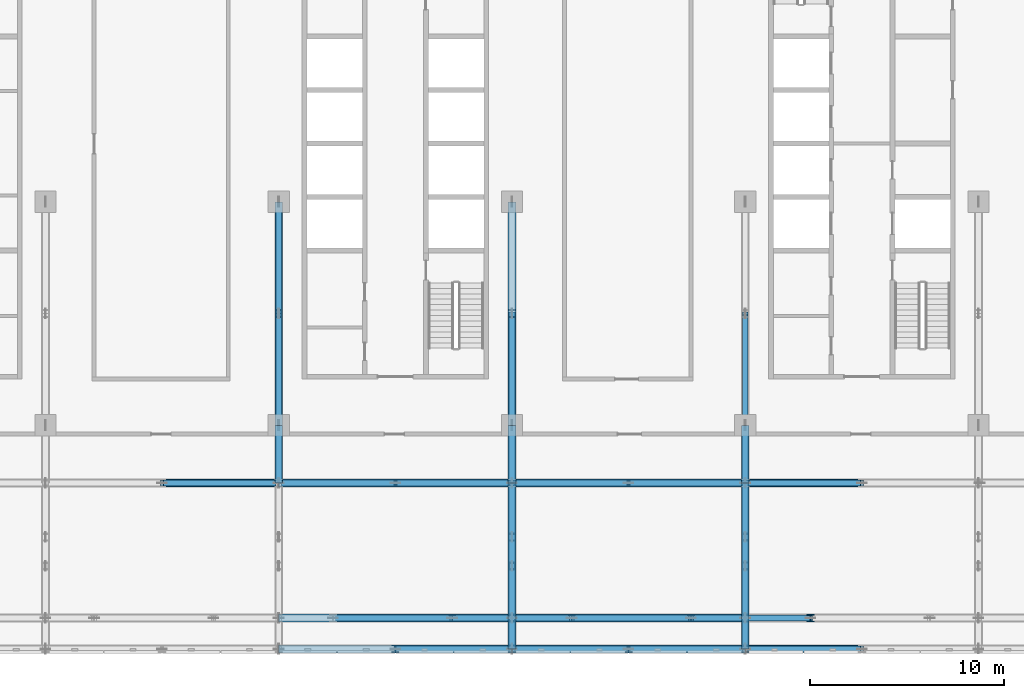
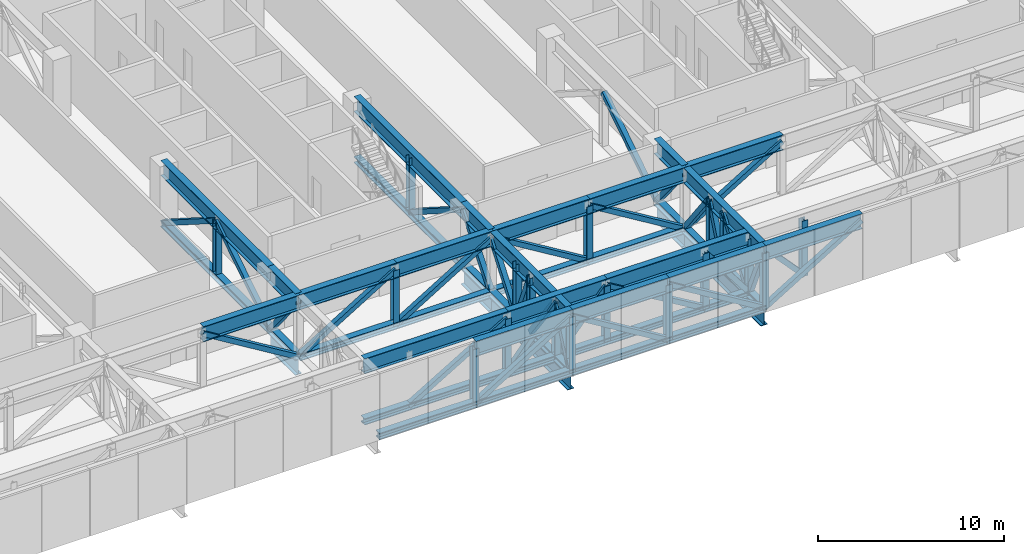
# One storey, part 6 of 28: 82 members, 5 beams.
"""IFC4 building model written with IfcOpenShell, lengths in metres."""

import ifcopenshell
import ifcopenshell.guid

model = None  # the IFC model being written
_history = None  # IfcOwnerHistory: only IFC2X3 demands one
_inside = {}  # id of a spatial element -> (the spatial element, [elements in it])
_under = {}  # id of a project, library or spatial element -> (it, [spatial elements below it])
_declared = {}  # id of a project -> (the project, [libraries it declares])
_typed = {}  # id of a type object -> (the type object, [elements of that type])
_made_of = {}  # id of a material, layer set ... -> (it, [elements and type objects made of it])


def new_model(schema):
    """Start an empty IFC model of exactly this schema.

    Asked for "IFC4X3", IfcOpenShell would pick the latest addendum, in which some entities
    have other attributes; the version numbers below select the first issue.
    IFC2X3 requires an IfcOwnerHistory on every rooted entity: one is made here for all.
    """
    global model, _history
    if schema == "IFC4X3":
        model = ifcopenshell.file(schema_version=(4, 3, 0, 0))
    else:
        model = ifcopenshell.file(schema=schema)
    _inside.clear()
    _under.clear()
    _declared.clear()
    _typed.clear()
    _made_of.clear()
    _history = None
    if model.schema == "IFC2X3":
        org = make("IfcOrganization", Name="unknown")
        user = make(
            "IfcPersonAndOrganization",
            ThePerson=make("IfcPerson", FamilyName="unknown"),
            TheOrganization=org,
        )
        app = make(
            "IfcApplication",
            ApplicationDeveloper=org,
            Version="unknown",
            ApplicationFullName="unknown",
            ApplicationIdentifier="unknown",
        )
        _history = make(
            "IfcOwnerHistory",
            OwningUser=user,
            OwningApplication=app,
            ChangeAction="ADDED",
            CreationDate=0,
        )
    return model


def make(cls, **values):
    """One entity of the class cls with the attributes given. An attribute that is None is left unset."""
    return model.create_entity(
        cls, **{name: value for name, value in values.items() if value is not None}
    )


def rooted(cls, **values):
    """An entity with a GlobalId (a new one), such as an element, a storey or a relation."""
    return make(cls, GlobalId=ifcopenshell.guid.new(), OwnerHistory=_history, **values)


def si_unit(unit_type, name, prefix=None):
    """IfcSIUnit, for example si_unit("LENGTHUNIT", "METRE", prefix="MILLI")."""
    return make("IfcSIUnit", UnitType=unit_type, Prefix=prefix, Name=name)


def assignment(units):
    """IfcUnitAssignment: the units of a project."""
    return None if units is None else make("IfcUnitAssignment", Units=units)


def point(xyz):
    """IfcCartesianPoint."""
    return None if xyz is None else make("IfcCartesianPoint", Coordinates=xyz)


def direction(xyz):
    """IfcDirection."""
    return None if xyz is None else make("IfcDirection", DirectionRatios=xyz)


def frame(location, z_axis=None, x_axis=None):
    """IfcAxis2Placement3D, a coordinate frame: its origin and axes. An axis left out is left unset."""
    return make(
        "IfcAxis2Placement3D",
        Location=point(location),
        Axis=direction(z_axis),
        RefDirection=direction(x_axis),
    )


def frame_2d(location, x_axis=None):
    """IfcAxis2Placement2D, a coordinate frame in the plane: its origin and x axis."""
    return make(
        "IfcAxis2Placement2D", Location=point(location), RefDirection=direction(x_axis)
    )


def origin():
    """The frame at (0, 0, 0) with its axes left unset."""
    return frame((0.0, 0.0, 0.0))


def origin_2d():
    """The frame at (0, 0) in the plane with its x axis left unset."""
    return frame_2d((0.0, 0.0))


def place(relative_to, where):
    """IfcLocalPlacement: puts the frame where relative to a parent placement (None: the world)."""
    return make(
        "IfcLocalPlacement", PlacementRelTo=relative_to, RelativePlacement=where
    )


def context(
    kind, dimensions, precision=None, world=None, true_north=None, identifier=None
):
    """IfcGeometricRepresentationContext, for example the 3D "Model" context."""
    return make(
        "IfcGeometricRepresentationContext",
        ContextIdentifier=identifier,
        ContextType=kind,
        CoordinateSpaceDimension=dimensions,
        Precision=precision,
        WorldCoordinateSystem=world,
        TrueNorth=true_north,
    )


def subcontext(parent, identifier, kind, view, scale=None):
    """IfcGeometricRepresentationSubContext, for example "Body" below "Model"."""
    return make(
        "IfcGeometricRepresentationSubContext",
        ContextIdentifier=identifier,
        ContextType=kind,
        ParentContext=parent,
        TargetScale=scale,
        TargetView=view,
    )


def project(units=None, contexts=None):
    """IfcProject with its units and contexts."""
    return rooted(
        "IfcProject",
        Name="project",
        RepresentationContexts=contexts,
        UnitsInContext=assignment(units),
    )


def spatial(cls, under=None, at=None, **own):
    """A site, building, storey or space (cls), placed at a placement, below another one or the project."""
    s = rooted(cls, ObjectPlacement=at, **own)
    if under is not None:
        _under.setdefault(under.id(), (under, []))[1].append(s)
    return s


def profile(cls, at=None, kind="AREA", **sizes):
    """A parametric profile (cls). Its sizes go by their IFC names, for example OverallWidth=200.0."""
    return make(cls, ProfileType=kind, Position=at, **sizes)


def hollow_rectangle(**sizes):
    """IfcRectangleHollowProfileDef."""
    return profile("IfcRectangleHollowProfileDef", **sizes)


def i_section(**sizes):
    """IfcIShapeProfileDef."""
    return profile("IfcIShapeProfileDef", **sizes)


def extrude(swept, where, along, depth):
    """IfcExtrudedAreaSolid: the profile swept, set in the frame where, extruded along a direction by depth."""
    return make(
        "IfcExtrudedAreaSolid",
        SweptArea=swept,
        Position=where,
        ExtrudedDirection=direction(along),
        Depth=depth,
    )


def shape(context_of_items, identifier, shape_type, items):
    """IfcShapeRepresentation: the items that make up one representation, for example the "Body"."""
    return make(
        "IfcShapeRepresentation",
        ContextOfItems=context_of_items,
        RepresentationIdentifier=identifier,
        RepresentationType=shape_type,
        Items=items,
    )


def material(Name=None, Category=None):
    """IfcMaterial."""
    return make("IfcMaterial", Name=Name, Category=Category)


def material_profile(
    of_material, cross_section, Name=None, Category=None, Priority=None
):
    """IfcMaterialProfile: a cross section and its material."""
    return make(
        "IfcMaterialProfile",
        Name=Name,
        Material=of_material,
        Profile=cross_section,
        Priority=Priority,
        Category=Category,
    )


def profile_set(profiles, Name=None, composite=None):
    """IfcMaterialProfileSet."""
    return make(
        "IfcMaterialProfileSet",
        Name=Name,
        MaterialProfiles=profiles,
        CompositeProfile=composite,
    )


def made_of(thing, what):
    """Note that an element or type object is made of a material, layer set ...; save() writes the relation."""
    if what is not None:
        _made_of.setdefault(what.id(), (what, []))[1].append(thing)
    return thing


def type_object(cls, material=None, **own):
    """A type object (cls), such as IfcWallType, which elements share."""
    return made_of(rooted(cls, **own), material)


def element(
    cls,
    number,
    at=None,
    inside=None,
    cuts=None,
    type_object=None,
    material=None,
    context=None,
    identifier="Body",
    shape_type=None,
    held_by="IfcProductDefinitionShape",
    body=None,
    shapes=None,
    **own,
):
    """One element of the class cls, such as IfcWall. Its Tag is "e" and its number.

    at: its placement. inside: the storey or other place that contains it. cuts: it is an
    opening in that element (IfcRelVoidsElement). A single representation is given by context,
    identifier, shape_type and body (its items); several are given by shapes. held_by: the class
    of the entity that holds the representations. save() writes the other relations.
    """
    e = rooted(cls, Tag="e%d" % number, ObjectPlacement=at, **own)
    if body is not None:
        shapes = [shape(context, identifier, shape_type, body)]
    if shapes is not None:
        e.Representation = make(held_by, Representations=shapes)
    if inside is not None:
        _inside.setdefault(inside.id(), (inside, []))[1].append(e)
    if cuts is not None:
        rooted(
            "IfcRelVoidsElement", RelatingBuildingElement=cuts, RelatedOpeningElement=e
        )
    if type_object is not None:
        _typed.setdefault(type_object.id(), (type_object, []))[1].append(e)
    return made_of(e, material)


def aggregate(whole, parts):
    """IfcRelAggregates: a whole, such as a stair, and the parts it consists of."""
    return rooted("IfcRelAggregates", RelatingObject=whole, RelatedObjects=parts)


def save(model, path):
    """Write the relations noted so far, then the file.

    IfcRelAggregates (storeys below a building ...), IfcRelContainedInSpatialStructure (elements
    in a storey), IfcRelDefinesByType, IfcRelAssociatesMaterial and IfcRelDeclares: one each for
    every whole, place, type object, material and project.
    """
    for whole, parts in _under.values():
        aggregate(whole, parts)
    for where, things in _inside.values():
        rooted(
            "IfcRelContainedInSpatialStructure",
            RelatedElements=things,
            RelatingStructure=where,
        )
    for kind, things in _typed.values():
        rooted("IfcRelDefinesByType", RelatedObjects=things, RelatingType=kind)
    for what, things in _made_of.values():
        rooted("IfcRelAssociatesMaterial", RelatedObjects=things, RelatingMaterial=what)
    for by, libraries in _declared.values():
        rooted("IfcRelDeclares", RelatingContext=by, RelatedDefinitions=libraries)
    model.write(path)


model = new_model("IFC4")

# Units and contexts
model_context = context("Model", 3, precision=1e-05, world=origin(), true_north=direction((0.0, 1.0)))
body_context = subcontext(model_context, "Body", "Model", "MODEL_VIEW")
ifc_project = project(units=[si_unit("LENGTHUNIT", "METRE"), si_unit("AREAUNIT", "SQUARE_METRE"), si_unit("VOLUMEUNIT", "CUBIC_METRE"), si_unit("PLANEANGLEUNIT", "RADIAN"), si_unit("MASSUNIT", "GRAM", prefix="KILO")], contexts=[model_context])

# Site, building, storey
site_placement = place(None, origin())
site = spatial("IfcSite", under=ifc_project, at=site_placement, CompositionType="ELEMENT")
building_placement = place(site_placement, origin())
building = spatial("IfcBuilding", under=site, at=building_placement, Name="Mahtab Terrace Research Tower", CompositionType="ELEMENT")
storey_placement = place(building_placement, frame((0.0, 0.0, 224.300048828125)))
storey = spatial("IfcBuildingStorey", under=building, at=storey_placement, Name="L54", CompositionType="ELEMENT", Elevation=224.300048828125)

# Members
ifc_material_1 = material(Name="Steel ASTM A500 Gr C", Category="steel")
ifc_material_profile_1 = material_profile(ifc_material_1, hollow_rectangle(XDim=0.3046875, YDim=0.3046875, WallThickness=0.0126953125, at=origin_2d()), Name="HSS12X12X1/2")
ifc_profile_set_1 = profile_set([ifc_material_profile_1], Name="Steel ASTM A500 Gr C")
member_type_1 = type_object("IfcMemberType", Name="HSS 12x12x1/2 brace TD121212", PredefinedType="BRACE", material=ifc_profile_set_1)
for number, where, z_axis, x_axis, name in (
    (1, (-6.0, -14.472900390625, -0.18798828125), (-0.854496522168, 0.0, 0.519457114306), (0.0, -1.0, 0.0), "Transfer truss T6 diagonal 048"),
    (2, (-6.0, -14.472900390625, -0.18798828125), (0.854496522168, 0.0, 0.519457114306), (0.0, 1.0, 0.0), "Transfer truss T6 diagonal 057"),
):
    element("IfcMember", number, at=place(storey_placement, frame(where, z_axis=z_axis, x_axis=x_axis)), inside=storey, type_object=member_type_1, Name=name, PredefinedType="BRACE", context=body_context, shape_type="SweptSolid", body=[
        extrude(hollow_rectangle(XDim=0.3046875, YDim=0.3046875, WallThickness=0.0126953125, at=origin_2d()), origin(), (0.0, 0.0, 1.0), 7.021728515625),
    ])
member_1_placement = place(storey_placement, frame((-6.0, -11.5, -0.18798828125), z_axis=(0.0, -0.631787276537, 0.77514181748), x_axis=(1.0, 0.0, 0.0)))
element("IfcMember", 3, at=member_1_placement, inside=storey, type_object=member_type_1, Name="Transfer truss T6 diagonal 058", PredefinedType="BRACE", context=body_context, shape_type="SweptSolid", body=[
    extrude(hollow_rectangle(XDim=0.3046875, YDim=0.3046875, WallThickness=0.0126953125, at=origin_2d()), origin(), (0.0, 0.0, 1.0), 4.70556640625),
])
for number, where, z_axis, x_axis, name in (
    (4, (-6.0, -11.5, -0.18798828125), (0.0, 0.844434215401, 0.535659272168), (-1.0, 0.0, 0.0), "Transfer truss T6 diagonal 059"),
    (5, (-6.0, 0.0, -0.18798828125), (0.0, -0.844434215401, 0.535659272168), (1.0, 0.0, 0.0), "Transfer truss T6 diagonal 060"),
):
    element("IfcMember", number, at=place(storey_placement, frame(where, z_axis=z_axis, x_axis=x_axis)), inside=storey, type_object=member_type_1, Name=name, PredefinedType="BRACE", context=body_context, shape_type="SweptSolid", body=[
        extrude(hollow_rectangle(XDim=0.3046875, YDim=0.3046875, WallThickness=0.0126953125, at=origin_2d()), origin(), (0.0, 0.0, 1.0), 6.809326171875),
    ])
member_2_placement = place(storey_placement, frame((-3.2119140625, -21.416015625, -0.18798828125), z_axis=(0.85977360994, 0.0, 0.510675375999), x_axis=(0.0, 1.0, 0.0)))
element("IfcMember", 6, at=member_2_placement, inside=storey, type_object=member_type_1, Name="Transfer truss T6 diagonal 065", PredefinedType="BRACE", context=body_context, shape_type="SweptSolid", body=[
    extrude(hollow_rectangle(XDim=0.3046875, YDim=0.3046875, WallThickness=0.0126953125, at=origin_2d()), origin(), (0.0, 0.0, 1.0), 7.142333984375),
])
member_3_placement = place(storey_placement, frame((0.0, -14.472900390625, -0.18798828125), z_axis=(0.854496522168, 0.0, 0.519457114306), x_axis=(0.0, 1.0, 0.0)))
element("IfcMember", 7, at=member_3_placement, inside=storey, type_object=member_type_1, Name="Transfer truss T6 diagonal 067", PredefinedType="BRACE", context=body_context, shape_type="SweptSolid", body=[
    extrude(hollow_rectangle(XDim=0.3046875, YDim=0.3046875, WallThickness=0.0126953125, at=origin_2d()), origin(), (0.0, 0.0, 1.0), 7.021728515625),
])
member_4_placement = place(storey_placement, frame((2.928955078125, -21.416015625, -0.18798828125), z_axis=(0.6440742511, 0.0, 0.764962978888), x_axis=(0.0, 1.0, 0.0)))
element("IfcMember", 8, at=member_4_placement, inside=storey, type_object=member_type_1, Name="Transfer truss T6 diagonal 069", PredefinedType="BRACE", context=body_context, shape_type="SweptSolid", body=[
    extrude(hollow_rectangle(XDim=0.3046875, YDim=0.3046875, WallThickness=0.0126953125, at=origin_2d()), origin(), (0.0, 0.0, 1.0), 4.76806640625),
])
member_5_placement = place(storey_placement, frame((0.0, -23.0, -0.18798828125), z_axis=(0.854496522168, 0.0, 0.519457114306), x_axis=(0.0, 1.0, 0.0)))
element("IfcMember", 9, at=member_5_placement, inside=storey, type_object=member_type_1, Name="Transfer truss T6 diagonal 070", PredefinedType="BRACE", context=body_context, shape_type="SweptSolid", body=[
    extrude(hollow_rectangle(XDim=0.3046875, YDim=0.3046875, WallThickness=0.0126953125, at=origin_2d()), origin(), (0.0, 0.0, 1.0), 7.021728515625),
])
member_6_placement = place(storey_placement, frame((6.0, -23.0, -0.18798828125), z_axis=(0.0, 0.398330959805, 0.917241760094), x_axis=(-1.0, 0.0, 0.0)))
element("IfcMember", 10, at=member_6_placement, inside=storey, type_object=member_type_1, Name="Transfer truss T6 diagonal 071", PredefinedType="BRACE", context=body_context, shape_type="SweptSolid", body=[
    extrude(hollow_rectangle(XDim=0.3046875, YDim=0.3046875, WallThickness=0.0126953125, at=origin_2d()), origin(), (0.0, 0.0, 1.0), 3.9765625),
])
member_7_placement = place(storey_placement, frame((6.0, -18.736083984375, -0.18798828125), z_axis=(0.0, -0.5921000261, 0.805864479359), x_axis=(1.0, 0.0, 0.0)))
element("IfcMember", 11, at=member_7_placement, inside=storey, type_object=member_type_1, Name="Transfer truss T6 diagonal 072", PredefinedType="BRACE", context=body_context, shape_type="SweptSolid", body=[
    extrude(hollow_rectangle(XDim=0.3046875, YDim=0.3046875, WallThickness=0.0126953125, at=origin_2d()), origin(), (0.0, 0.0, 1.0), 4.526123046875),
])
member_8_placement = place(storey_placement, frame((6.0, -21.416015625, -0.18798828125), z_axis=(0.6440742511, 0.0, 0.764962978888), x_axis=(0.0, 1.0, 0.0)))
element("IfcMember", 12, at=member_8_placement, inside=storey, type_object=member_type_1, Name="Transfer truss T6 diagonal 073", PredefinedType="BRACE", context=body_context, shape_type="SweptSolid", body=[
    extrude(hollow_rectangle(XDim=0.3046875, YDim=0.3046875, WallThickness=0.0126953125, at=origin_2d()), origin(), (0.0, 0.0, 1.0), 4.76806640625),
])
member_9_placement = place(storey_placement, frame((6.0, -17.25, -0.18798828125), z_axis=(0.0, -0.377314608222, 0.926085139943), x_axis=(1.0, 0.0, 0.0)))
element("IfcMember", 13, at=member_9_placement, inside=storey, type_object=member_type_1, Name="Transfer truss T6 diagonal 074", PredefinedType="BRACE", context=body_context, shape_type="SweptSolid", body=[
    extrude(hollow_rectangle(XDim=0.3046875, YDim=0.3046875, WallThickness=0.0126953125, at=origin_2d()), origin(), (0.0, 0.0, 1.0), 3.9384765625),
])
member_10_placement = place(storey_placement, frame((6.0, -17.25, -0.18798828125), z_axis=(0.0, 0.605778433587, 0.795633388817), x_axis=(-1.0, 0.0, 0.0)))
element("IfcMember", 14, at=member_10_placement, inside=storey, type_object=member_type_1, Name="Transfer truss T6 diagonal 075", PredefinedType="BRACE", context=body_context, shape_type="SweptSolid", body=[
    extrude(hollow_rectangle(XDim=0.3046875, YDim=0.3046875, WallThickness=0.0126953125, at=origin_2d()), origin(), (0.0, 0.0, 1.0), 4.584228515625),
])
member_11_placement = place(storey_placement, frame((12.0, -14.472900390625, -0.18798828125), z_axis=(-0.854496522168, 0.0, 0.519457114306), x_axis=(0.0, -1.0, 0.0)))
element("IfcMember", 15, at=member_11_placement, inside=storey, type_object=member_type_1, Name="Transfer truss T6 diagonal 076", PredefinedType="BRACE", context=body_context, shape_type="SweptSolid", body=[
    extrude(hollow_rectangle(XDim=0.3046875, YDim=0.3046875, WallThickness=0.0126953125, at=origin_2d()), origin(), (0.0, 0.0, 1.0), 7.021728515625),
])
member_12_placement = place(storey_placement, frame((6.0, -14.472900390625, -0.18798828125), z_axis=(0.0, 0.631787276537, 0.77514181748), x_axis=(-1.0, 0.0, 0.0)))
element("IfcMember", 16, at=member_12_placement, inside=storey, type_object=member_type_1, Name="Transfer truss T6 diagonal 077", PredefinedType="BRACE", context=body_context, shape_type="SweptSolid", body=[
    extrude(hollow_rectangle(XDim=0.3046875, YDim=0.3046875, WallThickness=0.0126953125, at=origin_2d()), origin(), (0.0, 0.0, 1.0), 4.70556640625),
])
member_13_placement = place(storey_placement, frame((6.0, -5.75, -0.18798828125), z_axis=(0.0, -0.844434215401, 0.535659272168), x_axis=(1.0, 0.0, 0.0)))
element("IfcMember", 17, at=member_13_placement, inside=storey, type_object=member_type_1, Name="Transfer truss T6 diagonal 078", PredefinedType="BRACE", context=body_context, shape_type="SweptSolid", body=[
    extrude(hollow_rectangle(XDim=0.3046875, YDim=0.3046875, WallThickness=0.0126953125, at=origin_2d()), origin(), (0.0, 0.0, 1.0), 6.809326171875),
])
member_14_placement = place(storey_placement, frame((15.2119140625, -21.416015625, -0.18798828125), z_axis=(-0.85977360994, 0.0, 0.510675375999), x_axis=(0.0, -1.0, 0.0)))
element("IfcMember", 18, at=member_14_placement, inside=storey, type_object=member_type_1, Name="Transfer truss T6 diagonal 084", PredefinedType="BRACE", context=body_context, shape_type="SweptSolid", body=[
    extrude(hollow_rectangle(XDim=0.3046875, YDim=0.3046875, WallThickness=0.0126953125, at=origin_2d()), origin(), (0.0, 0.0, 1.0), 7.142333984375),
])
for number, where, z_axis, x_axis, name in (
    (19, (12.0, -23.0, -0.18798828125), (-0.854496522168, 0.0, 0.519457114306), (0.0, -1.0, 0.0), "Transfer truss T6 diagonal 085"),
    (20, (18.0, -14.472900390625, -0.18798828125), (-0.854496522168, 0.0, 0.519457114306), (0.0, -1.0, 0.0), "Transfer truss T6 diagonal 086"),
):
    element("IfcMember", number, at=place(storey_placement, frame(where, z_axis=z_axis, x_axis=x_axis)), inside=storey, type_object=member_type_1, Name=name, PredefinedType="BRACE", context=body_context, shape_type="SweptSolid", body=[
        extrude(hollow_rectangle(XDim=0.3046875, YDim=0.3046875, WallThickness=0.0126953125, at=origin_2d()), origin(), (0.0, 0.0, 1.0), 7.021728515625),
    ])
member_15_placement = place(storey_placement, frame((18.0, -21.416015625, -0.18798828125), z_axis=(-0.607292187246, 0.0, 0.794478570705), x_axis=(0.0, -1.0, 0.0)))
element("IfcMember", 21, at=member_15_placement, inside=storey, type_object=member_type_1, Name="Transfer truss T6 diagonal 088", PredefinedType="BRACE", context=body_context, shape_type="SweptSolid", body=[
    extrude(hollow_rectangle(XDim=0.3046875, YDim=0.3046875, WallThickness=0.0126953125, at=origin_2d()), origin(), (0.0, 0.0, 1.0), 4.591064453125),
])
member_16_placement = place(storey_placement, frame((18.0, -23.0, -0.18798828125), z_axis=(-0.854496522168, 0.0, 0.519457114306), x_axis=(0.0, -1.0, 0.0)))
element("IfcMember", 22, at=member_16_placement, inside=storey, type_object=member_type_1, Name="Transfer truss T6 diagonal 089", PredefinedType="BRACE", context=body_context, shape_type="SweptSolid", body=[
    extrude(hollow_rectangle(XDim=0.3046875, YDim=0.3046875, WallThickness=0.0126953125, at=origin_2d()), origin(), (0.0, 0.0, 1.0), 7.021728515625),
])
member_17_placement = place(storey_placement, frame((18.0, -21.416015625, -0.18798828125), z_axis=(0.0, -0.398330959805, 0.917241760094), x_axis=(1.0, 0.0, 0.0)))
element("IfcMember", 23, at=member_17_placement, inside=storey, type_object=member_type_1, Name="Transfer truss T6 diagonal 090", PredefinedType="BRACE", context=body_context, shape_type="SweptSolid", body=[
    extrude(hollow_rectangle(XDim=0.3046875, YDim=0.3046875, WallThickness=0.0126953125, at=origin_2d()), origin(), (0.0, 0.0, 1.0), 3.9765625),
])
member_18_placement = place(storey_placement, frame((18.0, -21.416015625, -0.18798828125), z_axis=(0.0, 0.5921000261, 0.805864479359), x_axis=(-1.0, 0.0, 0.0)))
element("IfcMember", 24, at=member_18_placement, inside=storey, type_object=member_type_1, Name="Transfer truss T6 diagonal 091", PredefinedType="BRACE", context=body_context, shape_type="SweptSolid", body=[
    extrude(hollow_rectangle(XDim=0.3046875, YDim=0.3046875, WallThickness=0.0126953125, at=origin_2d()), origin(), (0.0, 0.0, 1.0), 4.526123046875),
])
member_19_placement = place(storey_placement, frame((21.35400390625, -21.416015625, -0.18798828125), z_axis=(-0.676875055583, 0.0, 0.736097927676), x_axis=(0.0, -1.0, 0.0)))
element("IfcMember", 25, at=member_19_placement, inside=storey, type_object=member_type_1, Name="Transfer truss T6 diagonal 092", PredefinedType="BRACE", context=body_context, shape_type="SweptSolid", body=[
    extrude(hollow_rectangle(XDim=0.3046875, YDim=0.3046875, WallThickness=0.0126953125, at=origin_2d()), origin(), (0.0, 0.0, 1.0), 4.955078125),
])
member_20_placement = place(storey_placement, frame((18.0, -18.736083984375, -0.18798828125), z_axis=(0.0, 0.377314608222, 0.926085139943), x_axis=(-1.0, 0.0, 0.0)))
element("IfcMember", 26, at=member_20_placement, inside=storey, type_object=member_type_1, Name="Transfer truss T6 diagonal 093", PredefinedType="BRACE", context=body_context, shape_type="SweptSolid", body=[
    extrude(hollow_rectangle(XDim=0.3046875, YDim=0.3046875, WallThickness=0.0126953125, at=origin_2d()), origin(), (0.0, 0.0, 1.0), 3.9384765625),
])
member_21_placement = place(storey_placement, frame((18.0, -14.472900390625, -0.18798828125), z_axis=(0.0, -0.605778433587, 0.795633388817), x_axis=(1.0, 0.0, 0.0)))
element("IfcMember", 27, at=member_21_placement, inside=storey, type_object=member_type_1, Name="Transfer truss T6 diagonal 094", PredefinedType="BRACE", context=body_context, shape_type="SweptSolid", body=[
    extrude(hollow_rectangle(XDim=0.3046875, YDim=0.3046875, WallThickness=0.0126953125, at=origin_2d()), origin(), (0.0, 0.0, 1.0), 4.584228515625),
])
member_22_placement = place(storey_placement, frame((18.0, -14.472900390625, -0.18798828125), z_axis=(0.854496522168, 0.0, 0.519457114306), x_axis=(0.0, 1.0, 0.0)))
element("IfcMember", 28, at=member_22_placement, inside=storey, type_object=member_type_1, Name="Transfer truss T6 diagonal 095", PredefinedType="BRACE", context=body_context, shape_type="SweptSolid", body=[
    extrude(hollow_rectangle(XDim=0.3046875, YDim=0.3046875, WallThickness=0.0126953125, at=origin_2d()), origin(), (0.0, 0.0, 1.0), 7.021728515625),
])
member_23_placement = place(storey_placement, frame((18.0, -11.5, -0.18798828125), z_axis=(0.0, -0.631787276537, 0.77514181748), x_axis=(1.0, 0.0, 0.0)))
element("IfcMember", 29, at=member_23_placement, inside=storey, type_object=member_type_1, Name="Transfer truss T6 diagonal 096", PredefinedType="BRACE", context=body_context, shape_type="SweptSolid", body=[
    extrude(hollow_rectangle(XDim=0.3046875, YDim=0.3046875, WallThickness=0.0126953125, at=origin_2d()), origin(), (0.0, 0.0, 1.0), 4.70556640625),
])
member_24_placement = place(storey_placement, frame((18.0, -11.5, -0.18798828125), z_axis=(0.0, 0.844434215401, 0.535659272168), x_axis=(-1.0, 0.0, 0.0)))
element("IfcMember", 30, at=member_24_placement, inside=storey, type_object=member_type_1, Name="Transfer truss T6 diagonal 097", PredefinedType="BRACE", context=body_context, shape_type="SweptSolid", body=[
    extrude(hollow_rectangle(XDim=0.3046875, YDim=0.3046875, WallThickness=0.0126953125, at=origin_2d()), origin(), (0.0, 0.0, 1.0), 6.809326171875),
])
member_25_placement = place(storey_placement, frame((18.0, -23.0, -0.18798828125), z_axis=(0.854496522168, 0.0, 0.519457114306), x_axis=(0.0, 1.0, 0.0)))
element("IfcMember", 31, at=member_25_placement, inside=storey, type_object=member_type_1, Name="Transfer truss T6 diagonal 104", PredefinedType="BRACE", context=body_context, shape_type="SweptSolid", body=[
    extrude(hollow_rectangle(XDim=0.3046875, YDim=0.3046875, WallThickness=0.0126953125, at=origin_2d()), origin(), (0.0, 0.0, 1.0), 7.021728515625),
])
ifc_material_2 = material(Name="Steel ASTM A992 Gr 50", Category="steel")
ifc_material_profile_2 = material_profile(ifc_material_2, i_section(OverallWidth=0.373291015625, OverallDepth=0.373291015625, WebThickness=0.016357421875, FlangeThickness=0.026123046875, at=origin_2d()), Name="W14X132")
ifc_profile_set_2 = profile_set([ifc_material_profile_2], Name="Steel ASTM A992 Gr 50")
member_type_2 = type_object("IfcMemberType", Name="W14x132 post TP14132", PredefinedType="POST", material=ifc_profile_set_2)
for number, where, z_axis, x_axis, name in (
    (32, (-6.0, -5.75, -0.18798828125), (0.0, 0.0, 1.0), (1.0, 0.0, 0.0), "Transfer truss T6 post 053"),
    (33, (0.0, -23.0, -0.18798828125), (0.0, 0.0, 1.0), (1.0, 0.0, 0.0), "Transfer truss T6 post 060"),
    (34, (0.0, -14.469970703125, -0.18798828125), (0.0, 0.0, 1.0), (1.0, 0.0, 0.0), "Transfer truss T6 post 061"),
    (35, (2.929931640625, -21.419921875, -0.18798828125), (0.0, 0.0, 1.0), (1.0, 0.0, 0.0), "Transfer truss T6 post 063"),
    (36, (6.0, -23.0, -0.18798828125), (0.0, 0.0, 1.0), (1.0, 0.0, 0.0), "Transfer truss T6 post 064"),
    (37, (6.0, -21.419921875, -0.18798828125), (0.0, 0.0, 1.0), (1.0, 0.0, 0.0), "Transfer truss T6 post 065"),
    (38, (6.0, -18.739990234375, -0.18798828125), (0.0, 0.0, 1.0), (1.0, 0.0, 0.0), "Transfer truss T6 post 066"),
    (39, (6.0, -17.25, -0.18798828125), (0.0, 0.0, 1.0), (1.0, 0.0, 0.0), "Transfer truss T6 post 067"),
    (40, (6.0, -5.75, -0.18798828125), (0.0, 0.0, 1.0), (1.0, 0.0, 0.0), "Transfer truss T6 post 070"),
    (41, (9.070068359375, -21.419921875, -0.18798828125), (0.0, 0.0, 1.0), (1.0, 0.0, 0.0), "Transfer truss T6 post 076"),
    (42, (12.0, -23.0, -0.18798828125), (0.0, 0.0, 1.0), (1.0, 0.0, 0.0), "Transfer truss T6 post 077"),
    (43, (12.0, -14.469970703125, -0.18798828125), (0.0, 0.0, 1.0), (1.0, 0.0, 0.0), "Transfer truss T6 post 078"),
    (44, (15.2099609375, -21.419921875, -0.18798828125), (0.0, 0.0, 1.0), (1.0, 0.0, 0.0), "Transfer truss T6 post 080"),
    (45, (18.0, -23.0, -0.18798828125), (0.0, 0.0, 1.0), (1.0, 0.0, 0.0), "Transfer truss T6 post 081"),
    (46, (18.0, -21.419921875, -0.18798828125), (0.0, 0.0, 1.0), (1.0, 0.0, 0.0), "Transfer truss T6 post 082"),
    (47, (18.0, -18.739990234375, -0.18798828125), (0.0, 0.0, 1.0), (1.0, 0.0, 0.0), "Transfer truss T6 post 083"),
    (48, (18.0, -17.25, -0.18798828125), (0.0, 0.0, 1.0), (1.0, 0.0, 0.0), "Transfer truss T6 post 084"),
    (49, (21.35009765625, -21.419921875, -0.18798828125), (0.0, 0.0, 1.0), (1.0, 0.0, 0.0), "Transfer truss T6 post 093"),
):
    element("IfcMember", number, at=place(storey_placement, frame(where, z_axis=z_axis, x_axis=x_axis)), inside=storey, type_object=member_type_2, Name=name, PredefinedType="POST", context=body_context, shape_type="SweptSolid", body=[
        extrude(i_section(OverallWidth=0.373291015625, OverallDepth=0.373291015625, WebThickness=0.016357421875, FlangeThickness=0.026123046875, at=origin_2d()), origin(), (0.0, 0.0, 1.0), 3.6474609375),
    ])
ifc_material_profile_3 = material_profile(ifc_material_2, i_section(OverallWidth=0.408935546875, OverallDepth=0.42431640625, WebThickness=0.03271484375, FlangeThickness=0.052490234375, at=origin_2d()), Name="W14X283")
ifc_profile_set_3 = profile_set([ifc_material_profile_3], Name="Steel ASTM A992 Gr 50")
member_type_3 = type_object("IfcMemberType", Name="W14x283 chord TC14283", PredefinedType="CHORD", material=ifc_profile_set_3)
for number, where, z_axis, x_axis, name in (
    (50, (-6.0, -21.416015625, -0.18798828125), (1.0, 0.0, 0.0), (0.0, 1.0, 0.0), "Transfer truss T6 bottom chord 010"),
    (51, (6.0, -21.416015625, -0.18798828125), (1.0, 0.0, 0.0), (0.0, 1.0, 0.0), "Transfer truss T6 bottom chord 011"),
    (52, (18.0, -23.0, -0.18798828125), (-1.0, 0.0, 0.0), (0.0, -1.0, 0.0), "Transfer truss T6 bottom chord 021"),
    (53, (6.0, -23.0, -0.18798828125), (-1.0, 0.0, 0.0), (0.0, -1.0, 0.0), "Transfer truss T6 bottom chord 022"),
    (54, (-6.0, -14.472900390625, -0.18798828125), (1.0, 0.0, 0.0), (0.0, 1.0, 0.0), "Transfer truss T6 bottom chord 027"),
    (55, (6.0, -14.472900390625, -0.18798828125), (1.0, 0.0, 0.0), (0.0, 1.0, 0.0), "Transfer truss T6 bottom chord 028"),
):
    element("IfcMember", number, at=place(storey_placement, frame(where, z_axis=z_axis, x_axis=x_axis)), inside=storey, type_object=member_type_3, Name=name, PredefinedType="CHORD", context=body_context, shape_type="SweptSolid", body=[
        extrude(i_section(OverallWidth=0.408935546875, OverallDepth=0.42431640625, WebThickness=0.03271484375, FlangeThickness=0.052490234375, at=origin_2d()), origin(), (0.0, 0.0, 1.0), 12.0),
    ])
member_26_placement = place(storey_placement, frame((-6.0, -14.472900390625, -0.18798828125), z_axis=(0.0, 1.0, 0.0), x_axis=(-1.0, 0.0, 0.0)))
element("IfcMember", 56, at=member_26_placement, inside=storey, type_object=member_type_3, Name="Transfer truss T6 bottom chord 045", PredefinedType="CHORD", context=body_context, shape_type="SweptSolid", body=[
    extrude(i_section(OverallWidth=0.408935546875, OverallDepth=0.42431640625, WebThickness=0.03271484375, FlangeThickness=0.052490234375, at=origin_2d()), origin(), (0.0, 0.0, 1.0), 2.972900390625),
])
member_27_placement = place(storey_placement, frame((-6.0, -11.5, -0.18798828125), z_axis=(0.0, 1.0, 0.0), x_axis=(-1.0, 0.0, 0.0)))
element("IfcMember", 57, at=member_27_placement, inside=storey, type_object=member_type_3, Name="Transfer truss T6 bottom chord 046", PredefinedType="CHORD", context=body_context, shape_type="SweptSolid", body=[
    extrude(i_section(OverallWidth=0.408935546875, OverallDepth=0.42431640625, WebThickness=0.03271484375, FlangeThickness=0.052490234375, at=origin_2d()), origin(), (0.0, 0.0, 1.0), 11.5),
])
member_28_placement = place(storey_placement, frame((6.0, -23.0, -0.18798828125), z_axis=(0.0, 1.0, 0.0), x_axis=(-1.0, 0.0, 0.0)))
element("IfcMember", 58, at=member_28_placement, inside=storey, type_object=member_type_3, Name="Transfer truss T6 bottom chord 049", PredefinedType="CHORD", context=body_context, shape_type="SweptSolid", body=[
    extrude(i_section(OverallWidth=0.408935546875, OverallDepth=0.42431640625, WebThickness=0.03271484375, FlangeThickness=0.052490234375, at=origin_2d()), origin(), (0.0, 0.0, 1.0), 8.527099609375),
])
member_29_placement = place(storey_placement, frame((6.0, -14.472900390625, -0.18798828125), z_axis=(0.0, 1.0, 0.0), x_axis=(-1.0, 0.0, 0.0)))
element("IfcMember", 59, at=member_29_placement, inside=storey, type_object=member_type_3, Name="Transfer truss T6 bottom chord 050", PredefinedType="CHORD", context=body_context, shape_type="SweptSolid", body=[
    extrude(i_section(OverallWidth=0.408935546875, OverallDepth=0.42431640625, WebThickness=0.03271484375, FlangeThickness=0.052490234375, at=origin_2d()), origin(), (0.0, 0.0, 1.0), 2.972900390625),
])
member_30_placement = place(storey_placement, frame((6.0, -11.5, -0.18798828125), z_axis=(0.0, 1.0, 0.0), x_axis=(-1.0, 0.0, 0.0)))
element("IfcMember", 60, at=member_30_placement, inside=storey, type_object=member_type_3, Name="Transfer truss T6 bottom chord 051", PredefinedType="CHORD", context=body_context, shape_type="SweptSolid", body=[
    extrude(i_section(OverallWidth=0.408935546875, OverallDepth=0.42431640625, WebThickness=0.03271484375, FlangeThickness=0.052490234375, at=origin_2d()), origin(), (0.0, 0.0, 1.0), 11.5),
])
member_31_placement = place(storey_placement, frame((18.0, -23.0, -0.18798828125), z_axis=(0.0, 1.0, 0.0), x_axis=(-1.0, 0.0, 0.0)))
element("IfcMember", 61, at=member_31_placement, inside=storey, type_object=member_type_3, Name="Transfer truss T6 bottom chord 054", PredefinedType="CHORD", context=body_context, shape_type="SweptSolid", body=[
    extrude(i_section(OverallWidth=0.408935546875, OverallDepth=0.42431640625, WebThickness=0.03271484375, FlangeThickness=0.052490234375, at=origin_2d()), origin(), (0.0, 0.0, 1.0), 8.527099609375),
])
member_32_placement = place(storey_placement, frame((18.0, -14.472900390625, -0.18798828125), z_axis=(0.0, 1.0, 0.0), x_axis=(-1.0, 0.0, 0.0)))
element("IfcMember", 62, at=member_32_placement, inside=storey, type_object=member_type_3, Name="Transfer truss T6 bottom chord 055", PredefinedType="CHORD", context=body_context, shape_type="SweptSolid", body=[
    extrude(i_section(OverallWidth=0.408935546875, OverallDepth=0.42431640625, WebThickness=0.03271484375, FlangeThickness=0.052490234375, at=origin_2d()), origin(), (0.0, 0.0, 1.0), 2.972900390625),
])
ifc_material_profile_4 = material_profile(ifc_material_2, i_section(OverallWidth=0.4013671875, OverallDepth=1.000732421875, WebThickness=0.01904296875, FlangeThickness=0.0361328125, at=origin_2d()), Name="W40X249")
ifc_profile_set_4 = profile_set([ifc_material_profile_4], Name="Steel ASTM A992 Gr 50")
member_type_4 = type_object("IfcMemberType", Name="W40x249 chord TT40249", PredefinedType="CHORD", material=ifc_profile_set_4)
member_33_placement = place(storey_placement, frame((-6.0, -21.416015625, 3.45947265625), z_axis=(1.0, 0.0, 0.0), x_axis=(0.0, 1.0, 0.0)))
element("IfcMember", 63, at=member_33_placement, inside=storey, type_object=member_type_4, Name="Transfer truss T6 top chord 013", PredefinedType="CHORD", context=body_context, shape_type="SweptSolid", body=[
    extrude(i_section(OverallWidth=0.4013671875, OverallDepth=1.000732421875, WebThickness=0.01904296875, FlangeThickness=0.0361328125, at=origin_2d()), origin(), (0.0, 0.0, 1.0), 8.928955078125),
])
member_34_placement = place(storey_placement, frame((2.928955078125, -21.416015625, 3.45947265625), z_axis=(1.0, 0.0, 0.0), x_axis=(0.0, 1.0, 0.0)))
element("IfcMember", 64, at=member_34_placement, inside=storey, type_object=member_type_4, Name="Transfer truss T6 top chord 014", PredefinedType="CHORD", context=body_context, shape_type="SweptSolid", body=[
    extrude(i_section(OverallWidth=0.4013671875, OverallDepth=1.000732421875, WebThickness=0.01904296875, FlangeThickness=0.0361328125, at=origin_2d()), origin(), (0.0, 0.0, 1.0), 6.14208984375),
])
member_35_placement = place(storey_placement, frame((9.071044921875, -21.416015625, 3.45947265625), z_axis=(1.0, 0.0, 0.0), x_axis=(0.0, 1.0, 0.0)))
element("IfcMember", 65, at=member_35_placement, inside=storey, type_object=member_type_4, Name="Transfer truss T6 top chord 015", PredefinedType="CHORD", context=body_context, shape_type="SweptSolid", body=[
    extrude(i_section(OverallWidth=0.4013671875, OverallDepth=1.000732421875, WebThickness=0.01904296875, FlangeThickness=0.0361328125, at=origin_2d()), origin(), (0.0, 0.0, 1.0), 8.928955078125),
])
for number, where, z_axis, x_axis, name in (
    (66, (24.0, -23.0, 3.45947265625), (-1.0, 0.0, 0.0), (0.0, -1.0, 0.0), "Transfer truss T6 top chord 027"),
    (67, (18.0, -23.0, 3.45947265625), (-1.0, 0.0, 0.0), (0.0, -1.0, 0.0), "Transfer truss T6 top chord 028"),
    (68, (12.0, -23.0, 3.45947265625), (-1.0, 0.0, 0.0), (0.0, -1.0, 0.0), "Transfer truss T6 top chord 029"),
    (69, (6.0, -23.0, 3.45947265625), (-1.0, 0.0, 0.0), (0.0, -1.0, 0.0), "Transfer truss T6 top chord 030"),
    (70, (-12.0, -14.472900390625, 3.45947265625), (1.0, 0.0, 0.0), (0.0, 1.0, 0.0), "Transfer truss T6 top chord 039"),
    (71, (-6.0, -14.472900390625, 3.45947265625), (1.0, 0.0, 0.0), (0.0, 1.0, 0.0), "Transfer truss T6 top chord 040"),
    (72, (0.0, -14.472900390625, 3.45947265625), (1.0, 0.0, 0.0), (0.0, 1.0, 0.0), "Transfer truss T6 top chord 041"),
    (73, (6.0, -14.472900390625, 3.45947265625), (1.0, 0.0, 0.0), (0.0, 1.0, 0.0), "Transfer truss T6 top chord 042"),
    (74, (12.0, -14.472900390625, 3.45947265625), (1.0, 0.0, 0.0), (0.0, 1.0, 0.0), "Transfer truss T6 top chord 043"),
    (75, (18.0, -14.472900390625, 3.45947265625), (1.0, 0.0, 0.0), (0.0, 1.0, 0.0), "Transfer truss T6 top chord 044"),
):
    element("IfcMember", number, at=place(storey_placement, frame(where, z_axis=z_axis, x_axis=x_axis)), inside=storey, type_object=member_type_4, Name=name, PredefinedType="CHORD", context=body_context, shape_type="SweptSolid", body=[
        extrude(i_section(OverallWidth=0.4013671875, OverallDepth=1.000732421875, WebThickness=0.01904296875, FlangeThickness=0.0361328125, at=origin_2d()), origin(), (0.0, 0.0, 1.0), 6.0),
    ])
member_36_placement = place(storey_placement, frame((-6.0, -14.472900390625, 3.45947265625), z_axis=(0.0, 1.0, 0.0), x_axis=(-1.0, 0.0, 0.0)))
element("IfcMember", 76, at=member_36_placement, inside=storey, type_object=member_type_4, Name="Transfer truss T6 top chord 068", PredefinedType="CHORD", context=body_context, shape_type="SweptSolid", body=[
    extrude(i_section(OverallWidth=0.4013671875, OverallDepth=1.000732421875, WebThickness=0.01904296875, FlangeThickness=0.0361328125, at=origin_2d()), origin(), (0.0, 0.0, 1.0), 2.972900390625),
])
member_37_placement = place(storey_placement, frame((-6.0, -11.5, 3.45947265625), z_axis=(0.0, 1.0, 0.0), x_axis=(-1.0, 0.0, 0.0)))
element("IfcMember", 77, at=member_37_placement, inside=storey, type_object=member_type_4, Name="Transfer truss T6 top chord 069", PredefinedType="CHORD", context=body_context, shape_type="SweptSolid", body=[
    extrude(i_section(OverallWidth=0.4013671875, OverallDepth=1.000732421875, WebThickness=0.01904296875, FlangeThickness=0.0361328125, at=origin_2d()), origin(), (0.0, 0.0, 1.0), 11.5),
])
member_38_placement = place(storey_placement, frame((6.0, -23.0, 3.45947265625), z_axis=(0.0, 1.0, 0.0), x_axis=(-1.0, 0.0, 0.0)))
element("IfcMember", 78, at=member_38_placement, inside=storey, type_object=member_type_4, Name="Transfer truss T6 top chord 072", PredefinedType="CHORD", context=body_context, shape_type="SweptSolid", body=[
    extrude(i_section(OverallWidth=0.4013671875, OverallDepth=1.000732421875, WebThickness=0.01904296875, FlangeThickness=0.0361328125, at=origin_2d()), origin(), (0.0, 0.0, 1.0), 8.527099609375),
])
member_39_placement = place(storey_placement, frame((6.0, -14.472900390625, 3.45947265625), z_axis=(0.0, 1.0, 0.0), x_axis=(-1.0, 0.0, 0.0)))
element("IfcMember", 79, at=member_39_placement, inside=storey, type_object=member_type_4, Name="Transfer truss T6 top chord 073", PredefinedType="CHORD", context=body_context, shape_type="SweptSolid", body=[
    extrude(i_section(OverallWidth=0.4013671875, OverallDepth=1.000732421875, WebThickness=0.01904296875, FlangeThickness=0.0361328125, at=origin_2d()), origin(), (0.0, 0.0, 1.0), 2.972900390625),
])
member_40_placement = place(storey_placement, frame((6.0, -11.5, 3.45947265625), z_axis=(0.0, 1.0, 0.0), x_axis=(-1.0, 0.0, 0.0)))
element("IfcMember", 80, at=member_40_placement, inside=storey, type_object=member_type_4, Name="Transfer truss T6 top chord 074", PredefinedType="CHORD", context=body_context, shape_type="SweptSolid", body=[
    extrude(i_section(OverallWidth=0.4013671875, OverallDepth=1.000732421875, WebThickness=0.01904296875, FlangeThickness=0.0361328125, at=origin_2d()), origin(), (0.0, 0.0, 1.0), 11.5),
])
member_41_placement = place(storey_placement, frame((18.0, -23.0, 3.45947265625), z_axis=(0.0, 1.0, 0.0), x_axis=(-1.0, 0.0, 0.0)))
element("IfcMember", 81, at=member_41_placement, inside=storey, type_object=member_type_4, Name="Transfer truss T6 top chord 077", PredefinedType="CHORD", context=body_context, shape_type="SweptSolid", body=[
    extrude(i_section(OverallWidth=0.4013671875, OverallDepth=1.000732421875, WebThickness=0.01904296875, FlangeThickness=0.0361328125, at=origin_2d()), origin(), (0.0, 0.0, 1.0), 8.527099609375),
])
member_42_placement = place(storey_placement, frame((18.0, -14.472900390625, 3.45947265625), z_axis=(0.0, 1.0, 0.0), x_axis=(-1.0, 0.0, 0.0)))
element("IfcMember", 82, at=member_42_placement, inside=storey, type_object=member_type_4, Name="Transfer truss T6 top chord 078", PredefinedType="CHORD", context=body_context, shape_type="SweptSolid", body=[
    extrude(i_section(OverallWidth=0.4013671875, OverallDepth=1.000732421875, WebThickness=0.01904296875, FlangeThickness=0.0361328125, at=origin_2d()), origin(), (0.0, 0.0, 1.0), 2.972900390625),
])

# Beams
ifc_material_profile_5 = material_profile(ifc_material_2, i_section(OverallWidth=0.4013671875, OverallDepth=1.000732421875, WebThickness=0.01904296875, FlangeThickness=0.0361328125, at=origin_2d()), Name="W40X249")
ifc_profile_set_5 = profile_set([ifc_material_profile_5], Name="Steel ASTM A992 Gr 50")
beam_type = type_object("IfcBeamType", Name="W40x249 transfer girder TG40249", PredefinedType="BEAM", material=ifc_profile_set_5)
beam_1_placement = place(storey_placement, frame((-6.0, -14.472900390625, -0.8984375), z_axis=(0.0, 1.0, 0.0), x_axis=(-1.0, 0.0, 0.0)))
element("IfcBeam", 83, at=beam_1_placement, inside=storey, type_object=beam_type, Name="Transfer girder T6 20", PredefinedType="BEAM", context=body_context, shape_type="SweptSolid", body=[
    extrude(i_section(OverallWidth=0.4013671875, OverallDepth=1.000732421875, WebThickness=0.01904296875, FlangeThickness=0.0361328125, at=origin_2d()), origin(), (0.0, 0.0, 1.0), 2.972900390625),
])
beam_2_placement = place(storey_placement, frame((6.0, -23.0, -0.8984375), z_axis=(0.0, 1.0, 0.0), x_axis=(-1.0, 0.0, 0.0)))
element("IfcBeam", 84, at=beam_2_placement, inside=storey, type_object=beam_type, Name="Transfer girder T6 21", PredefinedType="BEAM", context=body_context, shape_type="SweptSolid", body=[
    extrude(i_section(OverallWidth=0.4013671875, OverallDepth=1.000732421875, WebThickness=0.01904296875, FlangeThickness=0.0361328125, at=origin_2d()), origin(), (0.0, 0.0, 1.0), 8.527099609375),
])
beam_3_placement = place(storey_placement, frame((6.0, -14.472900390625, -0.8984375), z_axis=(0.0, 1.0, 0.0), x_axis=(-1.0, 0.0, 0.0)))
element("IfcBeam", 85, at=beam_3_placement, inside=storey, type_object=beam_type, Name="Transfer girder T6 22", PredefinedType="BEAM", context=body_context, shape_type="SweptSolid", body=[
    extrude(i_section(OverallWidth=0.4013671875, OverallDepth=1.000732421875, WebThickness=0.01904296875, FlangeThickness=0.0361328125, at=origin_2d()), origin(), (0.0, 0.0, 1.0), 2.972900390625),
])
beam_4_placement = place(storey_placement, frame((18.0, -23.0, -0.8984375), z_axis=(0.0, 1.0, 0.0), x_axis=(-1.0, 0.0, 0.0)))
element("IfcBeam", 86, at=beam_4_placement, inside=storey, type_object=beam_type, Name="Transfer girder T6 23", PredefinedType="BEAM", context=body_context, shape_type="SweptSolid", body=[
    extrude(i_section(OverallWidth=0.4013671875, OverallDepth=1.000732421875, WebThickness=0.01904296875, FlangeThickness=0.0361328125, at=origin_2d()), origin(), (0.0, 0.0, 1.0), 8.527099609375),
])
beam_5_placement = place(storey_placement, frame((18.0, -14.472900390625, -0.8984375), z_axis=(0.0, 1.0, 0.0), x_axis=(-1.0, 0.0, 0.0)))
element("IfcBeam", 87, at=beam_5_placement, inside=storey, type_object=beam_type, Name="Transfer girder T6 24", PredefinedType="BEAM", context=body_context, shape_type="SweptSolid", body=[
    extrude(i_section(OverallWidth=0.4013671875, OverallDepth=1.000732421875, WebThickness=0.01904296875, FlangeThickness=0.0361328125, at=origin_2d()), origin(), (0.0, 0.0, 1.0), 2.972900390625),
])

save(model, "model.ifc")
